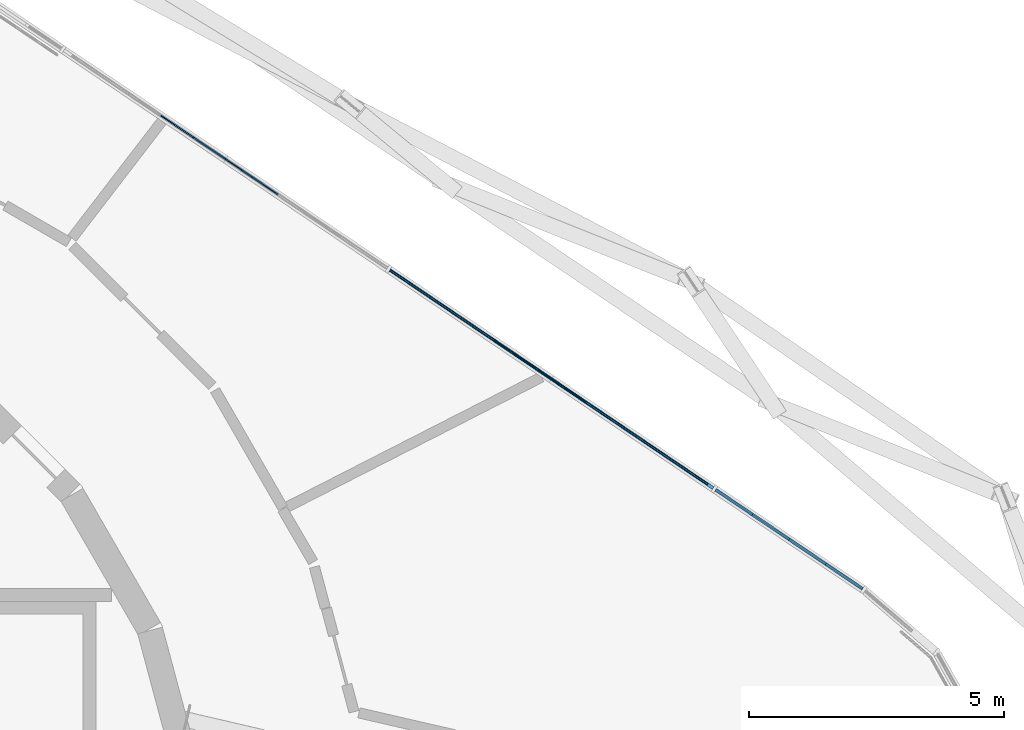
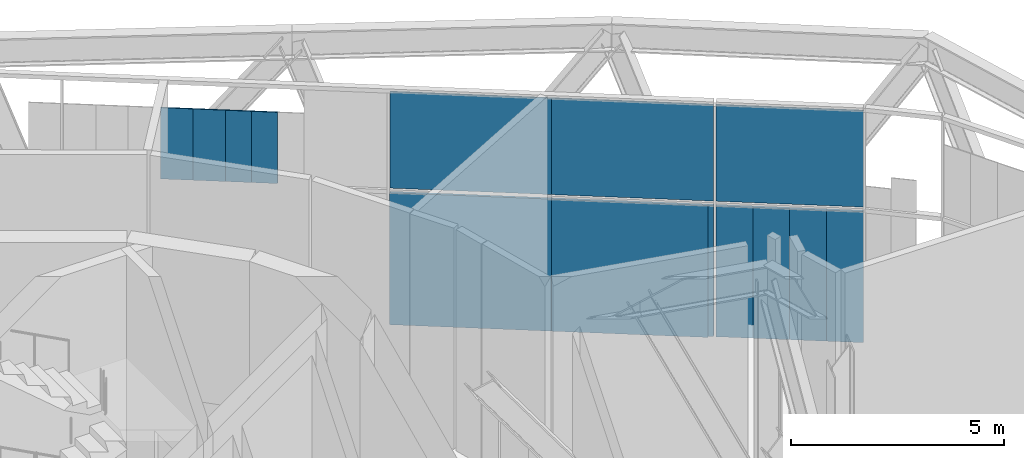
# One storey, part 15 of 24: 14 plates, 2 elements without a shape of their own.
"""IFC4 building model written with IfcOpenShell, lengths in metres."""

from ifc_helpers import new_model, si_unit, direction, frame, origin, origin_2d, place, context, subcontext, project, spatial, rectangle, extrude, material, layer, layer_set, type_object, element, aggregate, save


model = new_model("IFC4")

# Units and contexts
model_context = context("Model", 3, precision=1e-05, world=origin(), true_north=direction((0.0, 1.0)))
body_context = subcontext(model_context, "Body", "Model", "MODEL_VIEW")
ifc_project = project(units=[si_unit("LENGTHUNIT", "METRE"), si_unit("AREAUNIT", "SQUARE_METRE"), si_unit("VOLUMEUNIT", "CUBIC_METRE"), si_unit("PLANEANGLEUNIT", "RADIAN"), si_unit("MASSUNIT", "GRAM", prefix="KILO")], contexts=[model_context])

# Site, building, storey
site_placement = place(None, origin())
site = spatial("IfcSite", under=ifc_project, at=site_placement, CompositionType="ELEMENT")
building_placement = place(site_placement, origin())
building = spatial("IfcBuilding", under=site, at=building_placement, Name="Spindle Arch Residences", CompositionType="ELEMENT")
storey_placement = place(building_placement, frame((0.0, 0.0, 219.89990234375)))
storey = spatial("IfcBuildingStorey", under=building, at=storey_placement, Name="L56", CompositionType="ELEMENT", Elevation=219.89990234375)

# Curtain wall, plate
ifc_material_1 = material(Name="Aluminium bronze unitised frame with tinted glass", Category="aluminium")
ifc_layer_1 = layer(ifc_material_1, 0.159912109375)
ifc_layer_set_1 = layer_set([ifc_layer_1], Name="CW-E double-height winter garden wall")
curtain_wall_type = type_object("IfcCurtainWallType", Name="CW-E double-height winter garden wall", PredefinedType="NOTDEFINED", material=ifc_layer_set_1)
curtain_wall_1_placement = place(storey_placement, origin())
curtain_wall_1 = element("IfcCurtainWall", 1, at=curtain_wall_1_placement, inside=storey, type_object=curtain_wall_type, Name="CW-E L56 run 1", PredefinedType="NOTDEFINED")
ifc_material_2 = material(Name="Tinted laminated glass 28 mm", Category="glass")
ifc_layer_2 = layer(ifc_material_2, 0.028076171875)
ifc_layer_set_2 = layer_set([ifc_layer_2], Name="Tinted glass panel 28 mm")
plate_type_1 = type_object("IfcPlateType", Name="Tinted glass panel 28 mm", PredefinedType="CURTAIN_PANEL", material=ifc_layer_set_2)
plate_1_placement = place(storey_placement, frame((23.36767578125, 6.264892578125, 3.460205078125), z_axis=(0.0, 0.0, 1.0), x_axis=(-0.829037572555, 0.559192903471, 0.0)))
plate_1 = element("IfcPlate", 2, at=plate_1_placement, type_object=plate_type_1, Name="CW-E unit 06b", PredefinedType="CURTAIN_PANEL", context=body_context, shape_type="SweptSolid", body=[
    extrude(rectangle(XDim=3.468505859375, YDim=0.028076171875, at=origin_2d()), origin(), (0.0, 0.0, 1.0), 2.77001953125),
])

# Curtain wall, plates
curtain_wall_2_placement = place(storey_placement, origin())
curtain_wall_2 = element("IfcCurtainWall", 3, at=curtain_wall_2_placement, inside=storey, type_object=curtain_wall_type, Name="CW-E L56 run 2", PredefinedType="NOTDEFINED")
plate_2_placement = place(storey_placement, frame((20.2978515625, 8.335205078125, 3.460205078125), z_axis=(0.0, 0.0, 1.0), x_axis=(-0.829037572555, 0.559192903471, 0.0)))
plate_2 = element("IfcPlate", 4, at=plate_2_placement, type_object=plate_type_1, Name="CW-E unit 05Ab", PredefinedType="CURTAIN_PANEL", context=body_context, shape_type="SweptSolid", body=[
    extrude(rectangle(XDim=3.81689453125, YDim=0.028076171875, at=origin_2d()), origin(), (0.0, 0.0, 1.0), 2.77001953125),
])
plate_3_placement = place(storey_placement, frame((17.133544921875, 10.4697265625, 3.460205078125), z_axis=(0.0, 0.0, 1.0), x_axis=(-0.829037572555, 0.559192903471, 0.0)))
plate_3 = element("IfcPlate", 5, at=plate_3_placement, type_object=plate_type_1, Name="CW-E unit 05Bb", PredefinedType="CURTAIN_PANEL", context=body_context, shape_type="SweptSolid", body=[
    extrude(rectangle(XDim=3.81689453125, YDim=0.028076171875, at=origin_2d()), origin(), (0.0, 0.0, 1.0), 2.77001953125),
])
plate_4_placement = place(storey_placement, frame((13.1044921875, 13.187255859375, 3.460205078125), z_axis=(0.0, 0.0, 1.0), x_axis=(-0.829037572555, 0.559192903471, 0.0)))
plate_4 = element("IfcPlate", 6, at=plate_4_placement, type_object=plate_type_1, Name="CW-E panel 06Ab.3", PredefinedType="CURTAIN_PANEL", context=body_context, shape_type="SweptSolid", body=[
    extrude(rectangle(XDim=0.616943359375, YDim=0.028076171875, at=origin_2d()), origin(), (0.0, 0.0, 1.0), 2.0458984375),
])
plate_5_placement = place(storey_placement, frame((12.593017578125, 13.5322265625, 3.460205078125), z_axis=(0.0, 0.0, 1.0), x_axis=(-0.829037572555, 0.559192903471, 0.0)))
plate_5 = element("IfcPlate", 7, at=plate_5_placement, type_object=plate_type_1, Name="CW-E panel 06Ab.4", PredefinedType="CURTAIN_PANEL", context=body_context, shape_type="SweptSolid", body=[
    extrude(rectangle(XDim=0.616943359375, YDim=0.028076171875, at=origin_2d()), origin(), (0.0, 0.0, 1.0), 2.0458984375),
])
plate_6_placement = place(storey_placement, frame((12.02099609375, 13.918212890625, 3.460205078125), z_axis=(0.0, 0.0, 1.0), x_axis=(-0.829037572555, 0.559192903471, 0.0)))
plate_6 = element("IfcPlate", 8, at=plate_6_placement, type_object=plate_type_1, Name="CW-E panel 06Bb.1", PredefinedType="CURTAIN_PANEL", context=body_context, shape_type="SweptSolid", body=[
    extrude(rectangle(XDim=0.763427734375, YDim=0.028076171875, at=origin_2d()), origin(), (0.0, 0.0, 1.0), 2.0458984375),
])
plate_7_placement = place(storey_placement, frame((11.38818359375, 14.344970703125, 3.460205078125), z_axis=(0.0, 0.0, 1.0), x_axis=(-0.829037572555, 0.559192903471, 0.0)))
plate_7 = element("IfcPlate", 9, at=plate_7_placement, type_object=plate_type_1, Name="CW-E panel 06Bb.2", PredefinedType="CURTAIN_PANEL", context=body_context, shape_type="SweptSolid", body=[
    extrude(rectangle(XDim=0.763427734375, YDim=0.028076171875, at=origin_2d()), origin(), (0.0, 0.0, 1.0), 2.0458984375),
])

# Plate
ifc_material_3 = material(Name="Tinted double glazing over aluminium faced non-combustible spandrel zone (K0)", Category="aluminium")
ifc_layer_3 = layer(ifc_material_3, 0.06005859375)
ifc_layer_set_3 = layer_set([ifc_layer_3], Name="Unitised glass panel with E 60 spandrel zone")
plate_type_2 = type_object("IfcPlateType", Name="Unitised glass panel with E 60 spandrel zone", PredefinedType="CURTAIN_PANEL", material=ifc_layer_set_3)
plate_8_placement = place(storey_placement, frame((24.44580078125, 5.53759765625, -0.419921875), z_axis=(0.0, 0.0, 1.0), x_axis=(-0.829037572555, 0.559192903471, 0.0)))
plate_8 = element("IfcPlate", 10, at=plate_8_placement, type_object=plate_type_2, Name="CW-E panel 06a.1", PredefinedType="CURTAIN_PANEL", context=body_context, shape_type="SweptSolid", body=[
    extrude(rectangle(XDim=0.8671875, YDim=0.06005859375, at=origin_2d()), origin(), (0.0, 0.0, 1.0), 3.760009765625),
])

plate_9_placement = place(storey_placement, frame((23.72705078125, 6.0224609375, -0.419921875), z_axis=(0.0, 0.0, 1.0), x_axis=(-0.829037572555, 0.559192903471, 0.0)))
plate_9 = element("IfcPlate", 11, at=plate_9_placement, type_object=plate_type_2, Name="CW-E panel 06a.2", PredefinedType="CURTAIN_PANEL", context=body_context, shape_type="SweptSolid", body=[
    extrude(rectangle(XDim=0.8671875, YDim=0.06005859375, at=origin_2d()), origin(), (0.0, 0.0, 1.0), 3.760009765625),
])

plate_10_placement = place(storey_placement, frame((23.008056640625, 6.50732421875, -0.419921875), z_axis=(0.0, 0.0, 1.0), x_axis=(-0.829037572555, 0.559192903471, 0.0)))
plate_10 = element("IfcPlate", 12, at=plate_10_placement, type_object=plate_type_2, Name="CW-E panel 06a.3", PredefinedType="CURTAIN_PANEL", context=body_context, shape_type="SweptSolid", body=[
    extrude(rectangle(XDim=0.8671875, YDim=0.06005859375, at=origin_2d()), origin(), (0.0, 0.0, 1.0), 3.760009765625),
])

plate_11_placement = place(storey_placement, frame((22.289306640625, 6.9921875, -0.419921875), z_axis=(0.0, 0.0, 1.0), x_axis=(-0.829037572555, 0.559192903471, 0.0)))
plate_11 = element("IfcPlate", 13, at=plate_11_placement, type_object=plate_type_2, Name="CW-E panel 06a.4", PredefinedType="CURTAIN_PANEL", context=body_context, shape_type="SweptSolid", body=[
    extrude(rectangle(XDim=0.8671875, YDim=0.06005859375, at=origin_2d()), origin(), (0.0, 0.0, 1.0), 3.760009765625),
])

aggregate(curtain_wall_1, [plate_8, plate_9, plate_10, plate_11, plate_1])

plate_12_placement = place(storey_placement, frame((21.8271484375, 7.303955078125, -0.42138671875), z_axis=(0.0, 0.0, 1.0), x_axis=(-0.829037572555, 0.559192903471, 0.0)))
plate_12 = element("IfcPlate", 14, at=plate_12_placement, type_object=plate_type_2, Name="CW-E panel 05Aa.1", PredefinedType="CURTAIN_PANEL", context=body_context, shape_type="SweptSolid", body=[
    extrude(rectangle(XDim=0.128173828125, YDim=0.06005859375, at=origin_2d()), origin(), (0.0, 0.0, 1.0), 3.761474609375),
])

plate_13_placement = place(storey_placement, frame((20.244873046875, 8.37109375, -0.449951171875), z_axis=(0.0, 0.0, 1.0), x_axis=(-0.829037572555, 0.559192903471, 0.0)))
plate_13 = element("IfcPlate", 15, at=plate_13_placement, type_object=plate_type_2, Name="CW-E panel 05Aa.2", PredefinedType="CURTAIN_PANEL", context=body_context, shape_type="SweptSolid", body=[
    extrude(rectangle(XDim=3.688720703125, YDim=0.06005859375, at=origin_2d()), origin(), (0.0, 0.0, 1.0), 3.7900390625),
])

plate_14_placement = place(storey_placement, frame((17.133544921875, 10.4697265625, -0.449951171875), z_axis=(0.0, 0.0, 1.0), x_axis=(-0.829037572555, 0.559192903471, 0.0)))
plate_14 = element("IfcPlate", 16, at=plate_14_placement, type_object=plate_type_2, Name="CW-E unit 05Ba", PredefinedType="CURTAIN_PANEL", context=body_context, shape_type="SweptSolid", body=[
    extrude(rectangle(XDim=3.81689453125, YDim=0.06005859375, at=origin_2d()), origin(), (0.0, 0.0, 1.0), 3.7900390625),
])

aggregate(curtain_wall_2, [plate_12, plate_13, plate_2, plate_14, plate_3, plate_4, plate_5, plate_6, plate_7])

save(model, "model.ifc")
